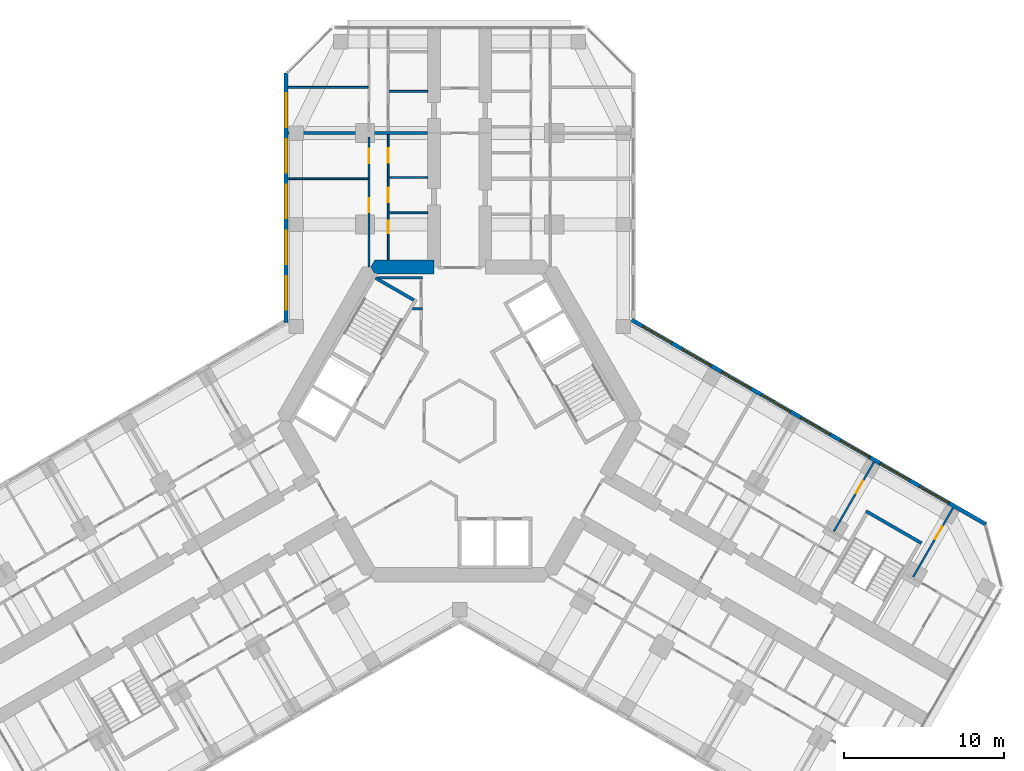
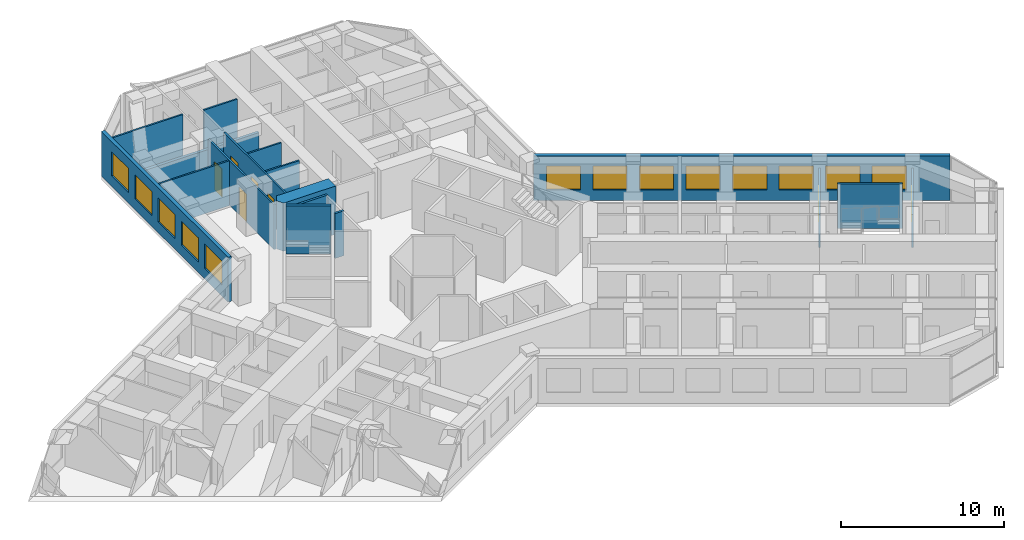
# One storey, part 16 of 19: 17 walls, 13 windows, 7 doors, 20 openings.
"""IFC4 building model written with IfcOpenShell, lengths in metres."""

from ifc_helpers import new_model, si_unit, direction, frame, frame_2d, origin, place, context, subcontext, project, spatial, polyline, rectangle, outline, extrude, material, layer, layer_set, type_object, element, fill, save


model = new_model("IFC4")

# Units and contexts
model_context = context("Model", 3, precision=1e-05, world=origin(), true_north=direction((0.0, 1.0)))
body_context = subcontext(model_context, "Body", "Model", "MODEL_VIEW")
ifc_project = project(units=[si_unit("LENGTHUNIT", "METRE"), si_unit("AREAUNIT", "SQUARE_METRE"), si_unit("VOLUMEUNIT", "CUBIC_METRE"), si_unit("PLANEANGLEUNIT", "RADIAN"), si_unit("MASSUNIT", "GRAM", prefix="KILO")], contexts=[model_context])

# Site, building, storey
site_placement = place(None, origin())
site = spatial("IfcSite", under=ifc_project, at=site_placement, CompositionType="ELEMENT")
building_placement = place(site_placement, origin())
building = spatial("IfcBuilding", under=site, at=building_placement, Name="Kosmar Iwan School Tower", CompositionType="ELEMENT")
storey_placement = place(building_placement, frame((0.0, 0.0, 145.39990234375)))
storey = spatial("IfcBuildingStorey", under=building, at=storey_placement, Name="L36", CompositionType="ELEMENT", Elevation=145.39990234375)

# Walls
ifc_material_1 = material(Name="Gypsum board on steel studs, fire-rated", Category="steel")
ifc_layer_1 = layer(ifc_material_1, 0.14990234375)
ifc_layer_set_1 = layer_set([ifc_layer_1], Name="Core room partition 150")
wall_type_1 = type_object("IfcWallType", Name="Core room partition 150", PredefinedType="PARTITIONING", material=ifc_layer_set_1)
wall_1_placement = place(storey_placement, frame((-2.324951171875, 6.985107421875, 0.0), z_axis=(0.0, 0.0, 1.0), x_axis=(-1.0, 0.0, 0.0)))
element("IfcWall", 1, at=wall_1_placement, inside=storey, type_object=wall_type_1, Name="Core room partition L36-CW2", PredefinedType="PARTITIONING", context=body_context, shape_type="SweptSolid", body=[
    extrude(rectangle(XDim=0.623779296875, YDim=0.14990234375, at=frame_2d((0.31201171875, 0.0))), origin(), (0.0, 0.0, 1.0), 3.35009765625),
])
wall_2_placement = place(storey_placement, frame((-5.089599609375, 8.93994140625, 0.0), z_axis=(0.0, 0.0, 1.0), x_axis=(1.0, 0.0, 0.0)))
element("IfcWall", 2, at=wall_2_placement, inside=storey, type_object=wall_type_1, Name="Core room partition L36-CW3", PredefinedType="PARTITIONING", context=body_context, shape_type="SweptSolid", body=[
    extrude(rectangle(XDim=2.7646484375, YDim=0.14990234375, at=frame_2d((1.38232421875, 0.0))), origin(), (0.0, 0.0, 1.0), 3.35009765625),
])
ifc_material_2 = material(Name="Concrete C50/60", Category="concrete")
ifc_layer_2 = layer(ifc_material_2, 0.89990234375)
ifc_layer_set_2 = layer_set([ifc_layer_2], Name="Core wall 900")
wall_type_2 = type_object("IfcWallType", Name="Core wall 900", PredefinedType="SHEAR", material=ifc_layer_set_2)
wall_3_placement = place(storey_placement, origin())
element("IfcWall", 3, at=wall_3_placement, inside=storey, type_object=wall_type_2, Name="Core wall F090b", PredefinedType="SHEAR", context=body_context, shape_type="SweptSolid", body=[
    extrude(outline(polyline([(-5.28271484375, 9.14990234375), (-1.60009765625, 9.14990234375), (-1.60009765625, 10.050048828125), (-5.28271484375, 10.050048828125), (-5.54248046875, 9.60009765625), (-5.28271484375, 9.14990234375)])), origin(), (0.0, 0.0, 1.0), 3.60009765625),
])

# Wall, openings, doors
ifc_material_3 = material(Name="Gypsum board on steel studs", Category="steel")
ifc_layer_3 = layer(ifc_material_3, 0.1201171875)
ifc_layer_set_3 = layer_set([ifc_layer_3], Name="Dwelling partition 120")
wall_type_3 = type_object("IfcWallType", Name="Dwelling partition 120", PredefinedType="PARTITIONING", material=ifc_layer_set_3)
wall_4_placement = place(storey_placement, frame((-4.449951171875, 10.050048828125, 0.0), z_axis=(0.0, 0.0, 1.0), x_axis=(0.0, 1.0, 0.0)))
wall_4 = element("IfcWall", 4, at=wall_4_placement, inside=storey, type_object=wall_type_3, Name="Partition L36-AL1-W1", PredefinedType="PARTITIONING", context=body_context, shape_type="SweptSolid", body=[
    extrude(rectangle(XDim=7.800048828125, YDim=0.1201171875, at=frame_2d((3.89990234375, 0.0))), origin(), (0.0, 0.0, 1.0), 3.35009765625),
])
opening_1_placement = place(wall_4_placement, frame((1.639892578125, 0.0, 0.0)))
opening_1 = element("IfcOpeningElement", 5, at=opening_1_placement, cuts=wall_4, Name="Opening D3", PredefinedType="OPENING", context=body_context, shape_type="SweptSolid", body=[
    extrude(rectangle(XDim=0.800048828125, YDim=2.10009765625, at=frame_2d((0.39990234375, 1.050048828125))), frame((0.0, 0.072021484375, 0.0), z_axis=(0.0, -1.0, 0.0), x_axis=(1.0, 0.0, 0.0)), (0.0, 0.0, 1.0), 0.14404296875),
])
opening_2_placement = place(wall_4_placement, frame((3.580078125, 0.0, 0.0)))
opening_2 = element("IfcOpeningElement", 6, at=opening_2_placement, cuts=wall_4, Name="Opening D2", PredefinedType="OPENING", context=body_context, shape_type="SweptSolid", body=[
    extrude(rectangle(XDim=0.89990234375, YDim=2.10009765625, at=frame_2d((0.449951171875, 1.050048828125))), frame((0.0, 0.072021484375, 0.0), z_axis=(0.0, -1.0, 0.0), x_axis=(1.0, 0.0, 0.0)), (0.0, 0.0, 1.0), 0.14404296875),
])
opening_3_placement = place(wall_4_placement, frame((6.06494140625, 0.0, 0.0)))
opening_3 = element("IfcOpeningElement", 7, at=opening_3_placement, cuts=wall_4, Name="Opening D2", PredefinedType="OPENING", context=body_context, shape_type="SweptSolid", body=[
    extrude(rectangle(XDim=0.89990234375, YDim=2.10009765625, at=frame_2d((0.449951171875, 1.050048828125))), frame((0.0, 0.072021484375, 0.0), z_axis=(0.0, -1.0, 0.0), x_axis=(1.0, 0.0, 0.0)), (0.0, 0.0, 1.0), 0.14404296875),
])
ifc_material_4 = material(Name="Timber door in timber frame", Category="wood")
door_type_1 = type_object("IfcDoorType", Name="Internal door 900x2100", OperationType="SINGLE_SWING_LEFT", PredefinedType="DOOR", material=ifc_material_4)
door_1_placement = place(opening_2_placement, origin())
door_1 = element("IfcDoor", 8, at=door_1_placement, inside=storey, type_object=door_type_1, Name="Entrance hall door L36-AL1-S2", OperationType="SINGLE_SWING_RIGHT", OverallHeight=2.10009765625, OverallWidth=0.89990234375, PredefinedType="DOOR", context=body_context, shape_type="SweptSolid", body=[
    extrude(rectangle(XDim=0.89990234375, YDim=2.10009765625, at=frame_2d((0.449951171875, 1.050048828125))), frame((0.0, 0.02490234375, 0.0), z_axis=(0.0, -1.0, 0.0), x_axis=(1.0, 0.0, 0.0)), (0.0, 0.0, 1.0), 0.050048828125),
])
fill(opening_2, door_1)
door_2_placement = place(opening_3_placement, origin())
door_2 = element("IfcDoor", 9, at=door_2_placement, inside=storey, type_object=door_type_1, Name="Pantry door L36-AL1-S3", OperationType="SINGLE_SWING_RIGHT", OverallHeight=2.10009765625, OverallWidth=0.89990234375, PredefinedType="DOOR", context=body_context, shape_type="SweptSolid", body=[
    extrude(rectangle(XDim=0.89990234375, YDim=2.10009765625, at=frame_2d((0.449951171875, 1.050048828125))), frame((0.0, 0.02490234375, 0.0), z_axis=(0.0, -1.0, 0.0), x_axis=(1.0, 0.0, 0.0)), (0.0, 0.0, 1.0), 0.050048828125),
])
fill(opening_3, door_2)
ifc_material_5 = material(Name="Timber door in timber frame", Category="wood")
door_type_2 = type_object("IfcDoorType", Name="Sanitary room door 800x2100", OperationType="SINGLE_SWING_LEFT", PredefinedType="DOOR", material=ifc_material_5)
door_3_placement = place(opening_1_placement, origin())
door_3 = element("IfcDoor", 10, at=door_3_placement, inside=storey, type_object=door_type_2, Name="Bathroom door L36-AL1-S1", OperationType="SINGLE_SWING_LEFT", OverallHeight=2.10009765625, OverallWidth=0.800048828125, PredefinedType="DOOR", context=body_context, shape_type="SweptSolid", body=[
    extrude(rectangle(XDim=0.800048828125, YDim=2.10009765625, at=frame_2d((0.39990234375, 1.050048828125))), frame((0.0, 0.02490234375, 0.0), z_axis=(0.0, -1.0, 0.0), x_axis=(1.0, 0.0, 0.0)), (0.0, 0.0, 1.0), 0.050048828125),
])
fill(opening_1, door_3)

wall_5_placement = place(storey_placement, frame((-5.64990234375, 9.60009765625, 0.0), z_axis=(0.0, 0.0, 1.0), x_axis=(0.0, 1.0, 0.0)))
wall_5 = element("IfcWall", 11, at=wall_5_placement, inside=storey, type_object=wall_type_3, Name="Partition L36-AL1-W2", PredefinedType="PARTITIONING", context=body_context, shape_type="SweptSolid", body=[
    extrude(rectangle(XDim=8.099853515625, YDim=0.1201171875, at=frame_2d((4.0498046875, 0.0))), origin(), (0.0, 0.0, 1.0), 3.35009765625),
])
opening_4_placement = place(wall_5_placement, frame((3.39990234375, 0.0, 0.0)))
opening_4 = element("IfcOpeningElement", 12, at=opening_4_placement, cuts=wall_5, Name="Opening D2", PredefinedType="OPENING", context=body_context, shape_type="SweptSolid", body=[
    extrude(rectangle(XDim=0.89990234375, YDim=2.10009765625, at=frame_2d((0.449951171875, 1.050048828125))), frame((0.0, 0.072021484375, 0.0), z_axis=(0.0, -1.0, 0.0), x_axis=(1.0, 0.0, 0.0)), (0.0, 0.0, 1.0), 0.14404296875),
])
opening_5_placement = place(wall_5_placement, frame((6.47509765625, 0.0, 0.0)))
opening_5 = element("IfcOpeningElement", 13, at=opening_5_placement, cuts=wall_5, Name="Opening D2", PredefinedType="OPENING", context=body_context, shape_type="SweptSolid", body=[
    extrude(rectangle(XDim=0.89990234375, YDim=2.10009765625, at=frame_2d((0.449951171875, 1.050048828125))), frame((0.0, 0.072021484375, 0.0), z_axis=(0.0, -1.0, 0.0), x_axis=(1.0, 0.0, 0.0)), (0.0, 0.0, 1.0), 0.14404296875),
])
door_4_placement = place(opening_4_placement, origin())
door_4 = element("IfcDoor", 14, at=door_4_placement, inside=storey, type_object=door_type_1, Name="Family room and kitchen door L36-AL1-F1", OperationType="SINGLE_SWING_RIGHT", OverallHeight=2.10009765625, OverallWidth=0.89990234375, PredefinedType="DOOR", context=body_context, shape_type="SweptSolid", body=[
    extrude(rectangle(XDim=0.89990234375, YDim=2.10009765625, at=frame_2d((0.449951171875, 1.050048828125))), frame((0.0, 0.02490234375, 0.0), z_axis=(0.0, -1.0, 0.0), x_axis=(1.0, 0.0, 0.0)), (0.0, 0.0, 1.0), 0.050048828125),
])
fill(opening_4, door_4)
door_5_placement = place(opening_5_placement, origin())
door_5 = element("IfcDoor", 15, at=door_5_placement, inside=storey, type_object=door_type_1, Name="Bedroom 1 door L36-AL1-F2", OperationType="SINGLE_SWING_RIGHT", OverallHeight=2.10009765625, OverallWidth=0.89990234375, PredefinedType="DOOR", context=body_context, shape_type="SweptSolid", body=[
    extrude(rectangle(XDim=0.89990234375, YDim=2.10009765625, at=frame_2d((0.449951171875, 1.050048828125))), frame((0.0, 0.02490234375, 0.0), z_axis=(0.0, -1.0, 0.0), x_axis=(1.0, 0.0, 0.0)), (0.0, 0.0, 1.0), 0.050048828125),
])
fill(opening_5, door_5)

# Walls
wall_6_placement = place(storey_placement, frame((-5.7099609375, 15.10009765625, 0.0), z_axis=(0.0, 0.0, 1.0), x_axis=(-1.0, 0.0, 0.0)))
element("IfcWall", 16, at=wall_6_placement, inside=storey, type_object=wall_type_3, Name="Partition L36-AL1-X1", PredefinedType="PARTITIONING", context=body_context, shape_type="SweptSolid", body=[
    extrude(rectangle(XDim=4.989990234375, YDim=0.1201171875, at=frame_2d((2.4951171875, 0.0))), origin(), (0.0, 0.0, 1.0), 3.35009765625),
])
for number, where, z_axis, x_axis, name in (
    (17, (-2.0, 12.97998046875, 0.0), (0.0, 0.0, 1.0), (-1.0, 0.0, 0.0), "Partition L36-AL1-Y1"),
    (18, (-2.0, 15.179931640625, 0.0), (0.0, 0.0, 1.0), (-1.0, 0.0, 0.0), "Partition L36-AL1-Y2"),
):
    element("IfcWall", number, at=place(storey_placement, frame(where, z_axis=z_axis, x_axis=x_axis)), inside=storey, type_object=wall_type_3, Name=name, PredefinedType="PARTITIONING", context=body_context, shape_type="SweptSolid", body=[
        extrude(rectangle(XDim=2.389892578125, YDim=0.1201171875, at=frame_2d((1.19482421875, 0.0))), origin(), (0.0, 0.0, 1.0), 3.35009765625),
    ])
wall_7_placement = place(storey_placement, frame((-5.7099609375, 20.800048828125, 0.0), z_axis=(0.0, 0.0, 1.0), x_axis=(-1.0, 0.0, 0.0)))
element("IfcWall", 19, at=wall_7_placement, inside=storey, type_object=wall_type_3, Name="Partition L36-AL2-X1", PredefinedType="PARTITIONING", context=body_context, shape_type="SweptSolid", body=[
    extrude(rectangle(XDim=4.989990234375, YDim=0.1201171875, at=frame_2d((2.4951171875, 0.0))), origin(), (0.0, 0.0, 1.0), 3.35009765625),
])
wall_8_placement = place(storey_placement, frame((-2.0, 20.550048828125, 0.0), z_axis=(0.0, 0.0, 1.0), x_axis=(-1.0, 0.0, 0.0)))
element("IfcWall", 20, at=wall_8_placement, inside=storey, type_object=wall_type_3, Name="Partition L36-AL2-Y1", PredefinedType="PARTITIONING", context=body_context, shape_type="SweptSolid", body=[
    extrude(rectangle(XDim=2.389892578125, YDim=0.1201171875, at=frame_2d((1.19482421875, 0.0))), origin(), (0.0, 0.0, 1.0), 3.35009765625),
])

# Wall, opening, door
wall_9_placement = place(storey_placement, frame((23.33642578125, -6.8798828125, 0.0), z_axis=(0.0, 0.0, 1.0), x_axis=(0.500033033937, 0.866006330792, 0.0)))
wall_9 = element("IfcWall", 21, at=wall_9_placement, inside=storey, type_object=wall_type_3, Name="Partition L36-CL2-TB", PredefinedType="PARTITIONING", context=body_context, shape_type="SweptSolid", body=[
    extrude(rectangle(XDim=4.989990234375, YDim=0.1201171875, at=frame_2d((2.4951171875, 0.0))), origin(), (0.0, 0.0, 1.0), 2.4501953125),
])
opening_6_placement = place(wall_9_placement, frame((2.739990234375, 0.0, 0.0)))
opening_6 = element("IfcOpeningElement", 22, at=opening_6_placement, cuts=wall_9, Name="Opening D2", PredefinedType="OPENING", context=body_context, shape_type="SweptSolid", body=[
    extrude(rectangle(XDim=0.89990234375, YDim=2.10009765625, at=frame_2d((0.449951171875, 1.050048828125))), frame((0.0, 0.072021484375, 0.0), z_axis=(0.0, -1.0, 0.0), x_axis=(1.0, 0.0, 0.0)), (0.0, 0.0, 1.0), 0.14404296875),
])
door_6_placement = place(opening_6_placement, origin())
door_6 = element("IfcDoor", 23, at=door_6_placement, inside=storey, type_object=door_type_1, Name="Study door L36-CL2-F2", OperationType="SINGLE_SWING_RIGHT", OverallHeight=2.10009765625, OverallWidth=0.89990234375, PredefinedType="DOOR", context=body_context, shape_type="SweptSolid", body=[
    extrude(rectangle(XDim=0.89990234375, YDim=2.10009765625, at=frame_2d((0.449951171875, 1.050048828125))), frame((0.0, 0.02490234375, 0.0), z_axis=(0.0, -1.0, 0.0), x_axis=(1.0, 0.0, 0.0)), (0.0, 0.0, 1.0), 0.050048828125),
])
fill(opening_6, door_6)

wall_10_placement = place(storey_placement, frame((28.27294921875, -9.72998046875, 0.0), z_axis=(0.0, 0.0, 1.0), x_axis=(0.499975153383, 0.86603974851, 0.0)))
wall_10 = element("IfcWall", 24, at=wall_10_placement, inside=storey, type_object=wall_type_3, Name="Partition L36-CL2-TX", PredefinedType="PARTITIONING", context=body_context, shape_type="SweptSolid", body=[
    extrude(rectangle(XDim=4.989990234375, YDim=0.1201171875, at=frame_2d((2.4951171875, 0.0))), origin(), (0.0, 0.0, 1.0), 2.4501953125),
])
opening_7_placement = place(wall_10_placement, frame((2.739990234375, 0.0, 0.0)))
opening_7 = element("IfcOpeningElement", 25, at=opening_7_placement, cuts=wall_10, Name="Opening D2", PredefinedType="OPENING", context=body_context, shape_type="SweptSolid", body=[
    extrude(rectangle(XDim=0.89990234375, YDim=2.10009765625, at=frame_2d((0.449951171875, 1.050048828125))), frame((0.0, 0.072021484375, 0.0), z_axis=(0.0, -1.0, 0.0), x_axis=(1.0, 0.0, 0.0)), (0.0, 0.0, 1.0), 0.14404296875),
])
door_7_placement = place(opening_7_placement, origin())
door_7 = element("IfcDoor", 26, at=door_7_placement, inside=storey, type_object=door_type_1, Name="Study door L36-CL2-T1", OperationType="SINGLE_SWING_RIGHT", OverallHeight=2.10009765625, OverallWidth=0.89990234375, PredefinedType="DOOR", context=body_context, shape_type="SweptSolid", body=[
    extrude(rectangle(XDim=0.89990234375, YDim=2.10009765625, at=frame_2d((0.449951171875, 1.050048828125))), frame((0.0, 0.02490234375, 0.0), z_axis=(0.0, -1.0, 0.0), x_axis=(1.0, 0.0, 0.0)), (0.0, 0.0, 1.0), 0.050048828125),
])
fill(opening_7, door_7)

# Wall
ifc_material_6 = material(Name="Concrete C35/45", Category="concrete")
ifc_layer_4 = layer(ifc_material_6, 0.199951171875)
ifc_layer_set_4 = layer_set([ifc_layer_4], Name="Escape stair wall 200")
wall_type_4 = type_object("IfcWallType", Name="Escape stair wall 200", PredefinedType="SHEAR", material=ifc_layer_set_4)
wall_11_placement = place(storey_placement, frame((25.334228515625, -5.6201171875, 0.0), z_axis=(0.0, 0.0, 1.0), x_axis=(0.866026010844, -0.49999894854, 0.0)))
element("IfcWall", 27, at=wall_11_placement, inside=storey, type_object=wall_type_4, Name="Stair WS3 wall", PredefinedType="SHEAR", context=body_context, shape_type="SweptSolid", body=[
    extrude(rectangle(XDim=4.0, YDim=0.199951171875, at=frame_2d((2.0, 0.0))), origin(), (0.0, 0.0, 1.0), 3.330078125),
])

# Wall, openings, windows
ifc_material_7 = material(Name="Black aluminium rainscreen on insulated framing", Category="aluminium")
ifc_layer_5 = layer(ifc_material_7, 0.25)
ifc_layer_set_5 = layer_set([ifc_layer_5], Name="External wall rainscreen 250")
wall_type_5 = type_object("IfcWallType", Name="External wall rainscreen 250", PredefinedType="SOLIDWALL", material=ifc_layer_set_5)
wall_12_placement = place(storey_placement, frame((10.73681640625, 6.30078125, 0.0), z_axis=(0.0, 0.0, 1.0), x_axis=(0.866026390279, -0.499998291337, 0.0)))
wall_12 = element("IfcWall", 28, at=wall_12_placement, inside=storey, type_object=wall_type_5, Name="External wall CL L36", PredefinedType="SOLIDWALL", context=body_context, shape_type="SweptSolid", body=[
    extrude(rectangle(XDim=25.4873046875, YDim=0.25, at=frame_2d((12.74365234375, 0.0))), origin(), (0.0, 0.0, 1.0), 3.35009765625),
])
opening_8_placement = place(wall_12_placement, frame((0.777099609375, 0.0, 0.800048828125)))
opening_8 = element("IfcOpeningElement", 29, at=opening_8_placement, cuts=wall_12, Name="Opening W4", PredefinedType="OPENING", context=body_context, shape_type="SweptSolid", body=[
    extrude(rectangle(XDim=2.10009765625, YDim=1.800048828125, at=frame_2d((1.050048828125, 0.89990234375))), frame((0.0, 0.136962890625, 0.0), z_axis=(0.0, -1.0, 0.0), x_axis=(1.0, 0.0, 0.0)), (0.0, 0.0, 1.0), 0.27392578125),
])
opening_9_placement = place(wall_12_placement, frame((3.626953125, 0.0, 0.800048828125)))
opening_9 = element("IfcOpeningElement", 30, at=opening_9_placement, cuts=wall_12, Name="Opening W4", PredefinedType="OPENING", context=body_context, shape_type="SweptSolid", body=[
    extrude(rectangle(XDim=2.10009765625, YDim=1.800048828125, at=frame_2d((1.050048828125, 0.89990234375))), frame((0.0, 0.136962890625, 0.0), z_axis=(0.0, -1.0, 0.0), x_axis=(1.0, 0.0, 0.0)), (0.0, 0.0, 1.0), 0.27392578125),
])
opening_10_placement = place(wall_12_placement, frame((6.47705078125, 0.0, 0.800048828125)))
opening_10 = element("IfcOpeningElement", 31, at=opening_10_placement, cuts=wall_12, Name="Opening W4", PredefinedType="OPENING", context=body_context, shape_type="SweptSolid", body=[
    extrude(rectangle(XDim=2.10009765625, YDim=1.800048828125, at=frame_2d((1.050048828125, 0.89990234375))), frame((0.0, 0.136962890625, 0.0), z_axis=(0.0, -1.0, 0.0), x_axis=(1.0, 0.0, 0.0)), (0.0, 0.0, 1.0), 0.27392578125),
])
opening_11_placement = place(wall_12_placement, frame((9.326904296875, 0.0, 0.800048828125)))
opening_11 = element("IfcOpeningElement", 32, at=opening_11_placement, cuts=wall_12, Name="Opening W4", PredefinedType="OPENING", context=body_context, shape_type="SweptSolid", body=[
    extrude(rectangle(XDim=2.10009765625, YDim=1.800048828125, at=frame_2d((1.050048828125, 0.89990234375))), frame((0.0, 0.136962890625, 0.0), z_axis=(0.0, -1.0, 0.0), x_axis=(1.0, 0.0, 0.0)), (0.0, 0.0, 1.0), 0.27392578125),
])
opening_12_placement = place(wall_12_placement, frame((12.177001953125, 0.0, 0.800048828125)))
opening_12 = element("IfcOpeningElement", 33, at=opening_12_placement, cuts=wall_12, Name="Opening W4", PredefinedType="OPENING", context=body_context, shape_type="SweptSolid", body=[
    extrude(rectangle(XDim=2.10009765625, YDim=1.800048828125, at=frame_2d((1.050048828125, 0.89990234375))), frame((0.0, 0.136962890625, 0.0), z_axis=(0.0, -1.0, 0.0), x_axis=(1.0, 0.0, 0.0)), (0.0, 0.0, 1.0), 0.27392578125),
])
opening_13_placement = place(wall_12_placement, frame((15.027099609375, 0.0, 0.800048828125)))
opening_13 = element("IfcOpeningElement", 34, at=opening_13_placement, cuts=wall_12, Name="Opening W4", PredefinedType="OPENING", context=body_context, shape_type="SweptSolid", body=[
    extrude(rectangle(XDim=2.10009765625, YDim=1.800048828125, at=frame_2d((1.050048828125, 0.89990234375))), frame((0.0, 0.136962890625, 0.0), z_axis=(0.0, -1.0, 0.0), x_axis=(1.0, 0.0, 0.0)), (0.0, 0.0, 1.0), 0.27392578125),
])
opening_14_placement = place(wall_12_placement, frame((17.876953125, 0.0, 0.800048828125)))
opening_14 = element("IfcOpeningElement", 35, at=opening_14_placement, cuts=wall_12, Name="Opening W4", PredefinedType="OPENING", context=body_context, shape_type="SweptSolid", body=[
    extrude(rectangle(XDim=2.10009765625, YDim=1.800048828125, at=frame_2d((1.050048828125, 0.89990234375))), frame((0.0, 0.136962890625, 0.0), z_axis=(0.0, -1.0, 0.0), x_axis=(1.0, 0.0, 0.0)), (0.0, 0.0, 1.0), 0.27392578125),
])
opening_15_placement = place(wall_12_placement, frame((20.72705078125, 0.0, 0.800048828125)))
opening_15 = element("IfcOpeningElement", 36, at=opening_15_placement, cuts=wall_12, Name="Opening W4", PredefinedType="OPENING", context=body_context, shape_type="SweptSolid", body=[
    extrude(rectangle(XDim=2.10009765625, YDim=1.800048828125, at=frame_2d((1.050048828125, 0.89990234375))), frame((0.0, 0.136962890625, 0.0), z_axis=(0.0, -1.0, 0.0), x_axis=(1.0, 0.0, 0.0)), (0.0, 0.0, 1.0), 0.27392578125),
])
ifc_material_8 = material(Name="Black aluminium frame with dark triple glazing", Category="aluminium")
window_type = type_object("IfcWindowType", Name="Window 2100x1800", PartitioningType="SINGLE_PANEL", PredefinedType="WINDOW", material=ifc_material_8)
window_1_placement = place(opening_8_placement, origin())
window_1 = element("IfcWindow", 37, at=window_1_placement, inside=storey, type_object=window_type, Name="Window CL L36 -1", OverallHeight=1.800048828125, OverallWidth=2.10009765625, PartitioningType="SINGLE_PANEL", PredefinedType="WINDOW", context=body_context, shape_type="SweptSolid", body=[
    extrude(rectangle(XDim=2.10009765625, YDim=1.800048828125, at=frame_2d((1.050048828125, 0.89990234375))), frame((0.0, 0.030029296875, 0.0), z_axis=(0.0, -1.0, 0.0), x_axis=(1.0, 0.0, 0.0)), (0.0, 0.0, 1.0), 0.06005859375),
])
fill(opening_8, window_1)
window_2_placement = place(opening_9_placement, origin())
window_2 = element("IfcWindow", 38, at=window_2_placement, inside=storey, type_object=window_type, Name="Window CL L36 0", OverallHeight=1.800048828125, OverallWidth=2.10009765625, PartitioningType="SINGLE_PANEL", PredefinedType="WINDOW", context=body_context, shape_type="SweptSolid", body=[
    extrude(rectangle(XDim=2.10009765625, YDim=1.800048828125, at=frame_2d((1.050048828125, 0.89990234375))), frame((0.0, 0.030029296875, 0.0), z_axis=(0.0, -1.0, 0.0), x_axis=(1.0, 0.0, 0.0)), (0.0, 0.0, 1.0), 0.06005859375),
])
fill(opening_9, window_2)
window_3_placement = place(opening_10_placement, origin())
window_3 = element("IfcWindow", 39, at=window_3_placement, inside=storey, type_object=window_type, Name="Window CL L36 1", OverallHeight=1.800048828125, OverallWidth=2.10009765625, PartitioningType="SINGLE_PANEL", PredefinedType="WINDOW", context=body_context, shape_type="SweptSolid", body=[
    extrude(rectangle(XDim=2.10009765625, YDim=1.800048828125, at=frame_2d((1.050048828125, 0.89990234375))), frame((0.0, 0.030029296875, 0.0), z_axis=(0.0, -1.0, 0.0), x_axis=(1.0, 0.0, 0.0)), (0.0, 0.0, 1.0), 0.06005859375),
])
fill(opening_10, window_3)
window_4_placement = place(opening_11_placement, origin())
window_4 = element("IfcWindow", 40, at=window_4_placement, inside=storey, type_object=window_type, Name="Window CL L36 2", OverallHeight=1.800048828125, OverallWidth=2.10009765625, PartitioningType="SINGLE_PANEL", PredefinedType="WINDOW", context=body_context, shape_type="SweptSolid", body=[
    extrude(rectangle(XDim=2.10009765625, YDim=1.800048828125, at=frame_2d((1.050048828125, 0.89990234375))), frame((0.0, 0.030029296875, 0.0), z_axis=(0.0, -1.0, 0.0), x_axis=(1.0, 0.0, 0.0)), (0.0, 0.0, 1.0), 0.06005859375),
])
fill(opening_11, window_4)
window_5_placement = place(opening_12_placement, origin())
window_5 = element("IfcWindow", 41, at=window_5_placement, inside=storey, type_object=window_type, Name="Window CL L36 3", OverallHeight=1.800048828125, OverallWidth=2.10009765625, PartitioningType="SINGLE_PANEL", PredefinedType="WINDOW", context=body_context, shape_type="SweptSolid", body=[
    extrude(rectangle(XDim=2.10009765625, YDim=1.800048828125, at=frame_2d((1.050048828125, 0.89990234375))), frame((0.0, 0.030029296875, 0.0), z_axis=(0.0, -1.0, 0.0), x_axis=(1.0, 0.0, 0.0)), (0.0, 0.0, 1.0), 0.06005859375),
])
fill(opening_12, window_5)
window_6_placement = place(opening_13_placement, origin())
window_6 = element("IfcWindow", 42, at=window_6_placement, inside=storey, type_object=window_type, Name="Window CL L36 4", OverallHeight=1.800048828125, OverallWidth=2.10009765625, PartitioningType="SINGLE_PANEL", PredefinedType="WINDOW", context=body_context, shape_type="SweptSolid", body=[
    extrude(rectangle(XDim=2.10009765625, YDim=1.800048828125, at=frame_2d((1.050048828125, 0.89990234375))), frame((0.0, 0.030029296875, 0.0), z_axis=(0.0, -1.0, 0.0), x_axis=(1.0, 0.0, 0.0)), (0.0, 0.0, 1.0), 0.06005859375),
])
fill(opening_13, window_6)
window_7_placement = place(opening_14_placement, origin())
window_7 = element("IfcWindow", 43, at=window_7_placement, inside=storey, type_object=window_type, Name="Window CL L36 5", OverallHeight=1.800048828125, OverallWidth=2.10009765625, PartitioningType="SINGLE_PANEL", PredefinedType="WINDOW", context=body_context, shape_type="SweptSolid", body=[
    extrude(rectangle(XDim=2.10009765625, YDim=1.800048828125, at=frame_2d((1.050048828125, 0.89990234375))), frame((0.0, 0.030029296875, 0.0), z_axis=(0.0, -1.0, 0.0), x_axis=(1.0, 0.0, 0.0)), (0.0, 0.0, 1.0), 0.06005859375),
])
fill(opening_14, window_7)
window_8_placement = place(opening_15_placement, origin())
window_8 = element("IfcWindow", 44, at=window_8_placement, inside=storey, type_object=window_type, Name="Window CL L36 6", OverallHeight=1.800048828125, OverallWidth=2.10009765625, PartitioningType="SINGLE_PANEL", PredefinedType="WINDOW", context=body_context, shape_type="SweptSolid", body=[
    extrude(rectangle(XDim=2.10009765625, YDim=1.800048828125, at=frame_2d((1.050048828125, 0.89990234375))), frame((0.0, 0.030029296875, 0.0), z_axis=(0.0, -1.0, 0.0), x_axis=(1.0, 0.0, 0.0)), (0.0, 0.0, 1.0), 0.06005859375),
])
fill(opening_15, window_8)

wall_13_placement = place(storey_placement, frame((-10.824951171875, 6.14794921875, 0.0), z_axis=(0.0, 0.0, 1.0), x_axis=(0.0, 1.0, 0.0)))
wall_13 = element("IfcWall", 45, at=wall_13_placement, inside=storey, type_object=wall_type_5, Name="External wall AL L36", PredefinedType="SOLIDWALL", context=body_context, shape_type="SweptSolid", body=[
    extrude(rectangle(XDim=15.537353515625, YDim=0.25, at=frame_2d((7.7685546875, 0.0))), origin(), (0.0, 0.0, 1.0), 3.35009765625),
])
opening_16_placement = place(wall_13_placement, frame((0.777099609375, 0.0, 0.800048828125)))
opening_16 = element("IfcOpeningElement", 46, at=opening_16_placement, cuts=wall_13, Name="Opening W4", PredefinedType="OPENING", context=body_context, shape_type="SweptSolid", body=[
    extrude(rectangle(XDim=2.10009765625, YDim=1.800048828125, at=frame_2d((1.050048828125, 0.89990234375))), frame((0.0, 0.136962890625, 0.0), z_axis=(0.0, -1.0, 0.0), x_axis=(1.0, 0.0, 0.0)), (0.0, 0.0, 1.0), 0.27392578125),
])
opening_17_placement = place(wall_13_placement, frame((3.626953125, 0.0, 0.800048828125)))
opening_17 = element("IfcOpeningElement", 47, at=opening_17_placement, cuts=wall_13, Name="Opening W4", PredefinedType="OPENING", context=body_context, shape_type="SweptSolid", body=[
    extrude(rectangle(XDim=2.10009765625, YDim=1.800048828125, at=frame_2d((1.050048828125, 0.89990234375))), frame((0.0, 0.136962890625, 0.0), z_axis=(0.0, -1.0, 0.0), x_axis=(1.0, 0.0, 0.0)), (0.0, 0.0, 1.0), 0.27392578125),
])
opening_18_placement = place(wall_13_placement, frame((6.47705078125, 0.0, 0.800048828125)))
opening_18 = element("IfcOpeningElement", 48, at=opening_18_placement, cuts=wall_13, Name="Opening W4", PredefinedType="OPENING", context=body_context, shape_type="SweptSolid", body=[
    extrude(rectangle(XDim=2.10009765625, YDim=1.800048828125, at=frame_2d((1.050048828125, 0.89990234375))), frame((0.0, 0.136962890625, 0.0), z_axis=(0.0, -1.0, 0.0), x_axis=(1.0, 0.0, 0.0)), (0.0, 0.0, 1.0), 0.27392578125),
])
opening_19_placement = place(wall_13_placement, frame((9.326904296875, 0.0, 0.800048828125)))
opening_19 = element("IfcOpeningElement", 49, at=opening_19_placement, cuts=wall_13, Name="Opening W4", PredefinedType="OPENING", context=body_context, shape_type="SweptSolid", body=[
    extrude(rectangle(XDim=2.10009765625, YDim=1.800048828125, at=frame_2d((1.050048828125, 0.89990234375))), frame((0.0, 0.136962890625, 0.0), z_axis=(0.0, -1.0, 0.0), x_axis=(1.0, 0.0, 0.0)), (0.0, 0.0, 1.0), 0.27392578125),
])
opening_20_placement = place(wall_13_placement, frame((12.177001953125, 0.0, 0.800048828125)))
opening_20 = element("IfcOpeningElement", 50, at=opening_20_placement, cuts=wall_13, Name="Opening W4", PredefinedType="OPENING", context=body_context, shape_type="SweptSolid", body=[
    extrude(rectangle(XDim=2.10009765625, YDim=1.800048828125, at=frame_2d((1.050048828125, 0.89990234375))), frame((0.0, 0.136962890625, 0.0), z_axis=(0.0, -1.0, 0.0), x_axis=(1.0, 0.0, 0.0)), (0.0, 0.0, 1.0), 0.27392578125),
])
window_9_placement = place(opening_16_placement, origin())
window_9 = element("IfcWindow", 51, at=window_9_placement, inside=storey, type_object=window_type, Name="Window AL L36 -1", OverallHeight=1.800048828125, OverallWidth=2.10009765625, PartitioningType="SINGLE_PANEL", PredefinedType="WINDOW", context=body_context, shape_type="SweptSolid", body=[
    extrude(rectangle(XDim=2.10009765625, YDim=1.800048828125, at=frame_2d((1.050048828125, 0.89990234375))), frame((0.0, 0.030029296875, 0.0), z_axis=(0.0, -1.0, 0.0), x_axis=(1.0, 0.0, 0.0)), (0.0, 0.0, 1.0), 0.06005859375),
])
fill(opening_16, window_9)
window_10_placement = place(opening_17_placement, origin())
window_10 = element("IfcWindow", 52, at=window_10_placement, inside=storey, type_object=window_type, Name="Window AL L36 0", OverallHeight=1.800048828125, OverallWidth=2.10009765625, PartitioningType="SINGLE_PANEL", PredefinedType="WINDOW", context=body_context, shape_type="SweptSolid", body=[
    extrude(rectangle(XDim=2.10009765625, YDim=1.800048828125, at=frame_2d((1.050048828125, 0.89990234375))), frame((0.0, 0.030029296875, 0.0), z_axis=(0.0, -1.0, 0.0), x_axis=(1.0, 0.0, 0.0)), (0.0, 0.0, 1.0), 0.06005859375),
])
fill(opening_17, window_10)
window_11_placement = place(opening_18_placement, origin())
window_11 = element("IfcWindow", 53, at=window_11_placement, inside=storey, type_object=window_type, Name="Window AL L36 1", OverallHeight=1.800048828125, OverallWidth=2.10009765625, PartitioningType="SINGLE_PANEL", PredefinedType="WINDOW", context=body_context, shape_type="SweptSolid", body=[
    extrude(rectangle(XDim=2.10009765625, YDim=1.800048828125, at=frame_2d((1.050048828125, 0.89990234375))), frame((0.0, 0.030029296875, 0.0), z_axis=(0.0, -1.0, 0.0), x_axis=(1.0, 0.0, 0.0)), (0.0, 0.0, 1.0), 0.06005859375),
])
fill(opening_18, window_11)
window_12_placement = place(opening_19_placement, origin())
window_12 = element("IfcWindow", 54, at=window_12_placement, inside=storey, type_object=window_type, Name="Window AL L36 2", OverallHeight=1.800048828125, OverallWidth=2.10009765625, PartitioningType="SINGLE_PANEL", PredefinedType="WINDOW", context=body_context, shape_type="SweptSolid", body=[
    extrude(rectangle(XDim=2.10009765625, YDim=1.800048828125, at=frame_2d((1.050048828125, 0.89990234375))), frame((0.0, 0.030029296875, 0.0), z_axis=(0.0, -1.0, 0.0), x_axis=(1.0, 0.0, 0.0)), (0.0, 0.0, 1.0), 0.06005859375),
])
fill(opening_19, window_12)
window_13_placement = place(opening_20_placement, origin())
window_13 = element("IfcWindow", 55, at=window_13_placement, inside=storey, type_object=window_type, Name="Window AL L36 3", OverallHeight=1.800048828125, OverallWidth=2.10009765625, PartitioningType="SINGLE_PANEL", PredefinedType="WINDOW", context=body_context, shape_type="SweptSolid", body=[
    extrude(rectangle(XDim=2.10009765625, YDim=1.800048828125, at=frame_2d((1.050048828125, 0.89990234375))), frame((0.0, 0.030029296875, 0.0), z_axis=(0.0, -1.0, 0.0), x_axis=(1.0, 0.0, 0.0)), (0.0, 0.0, 1.0), 0.06005859375),
])
fill(opening_20, window_13)

# Walls
ifc_material_9 = material(Name="Concrete block masonry", Category="masonry")
ifc_layer_6 = layer(ifc_material_9, 0.199951171875)
ifc_layer_set_6 = layer_set([ifc_layer_6], Name="Party wall 200")
wall_type_6 = type_object("IfcWallType", Name="Party wall 200", PredefinedType="PARTITIONING", material=ifc_layer_set_6)
wall_14_placement = place(storey_placement, frame((-2.0, 17.949951171875, 0.0), z_axis=(0.0, 0.0, 1.0), x_axis=(-1.0, 0.0, 0.0)))
element("IfcWall", 56, at=wall_14_placement, inside=storey, type_object=wall_type_6, Name="Partition L36-AL2-PW", PredefinedType="PARTITIONING", context=body_context, shape_type="SweptSolid", body=[
    extrude(rectangle(XDim=8.699951171875, YDim=0.199951171875, at=frame_2d((4.35009765625, 0.0))), origin(), (0.0, 0.0, 1.0), 2.4501953125),
])
ifc_material_10 = material(Name="Concrete C50/60", Category="concrete")
ifc_layer_7 = layer(ifc_material_10, 0.199951171875)
ifc_layer_set_7 = layer_set([ifc_layer_7], Name="Stair enclosure wall 200")
wall_type_7 = type_object("IfcWallType", Name="Stair enclosure wall 200", PredefinedType="SHEAR", material=ifc_layer_set_7)
wall_15_placement = place(storey_placement, frame((-2.862548828125, 7.541748046875, 0.0), z_axis=(0.0, 0.0, 1.0), x_axis=(-0.866027397988, 0.499996545922, 0.0)))
element("IfcWall", 57, at=wall_15_placement, inside=storey, type_object=wall_type_7, Name="Stair ST2 wall", PredefinedType="SHEAR", context=body_context, shape_type="SweptSolid", body=[
    extrude(rectangle(XDim=2.75, YDim=0.199951171875, at=frame_2d((1.375, 0.0))), origin(), (0.0, 0.0, 1.0), 3.60009765625),
])

save(model, "model.ifc")
